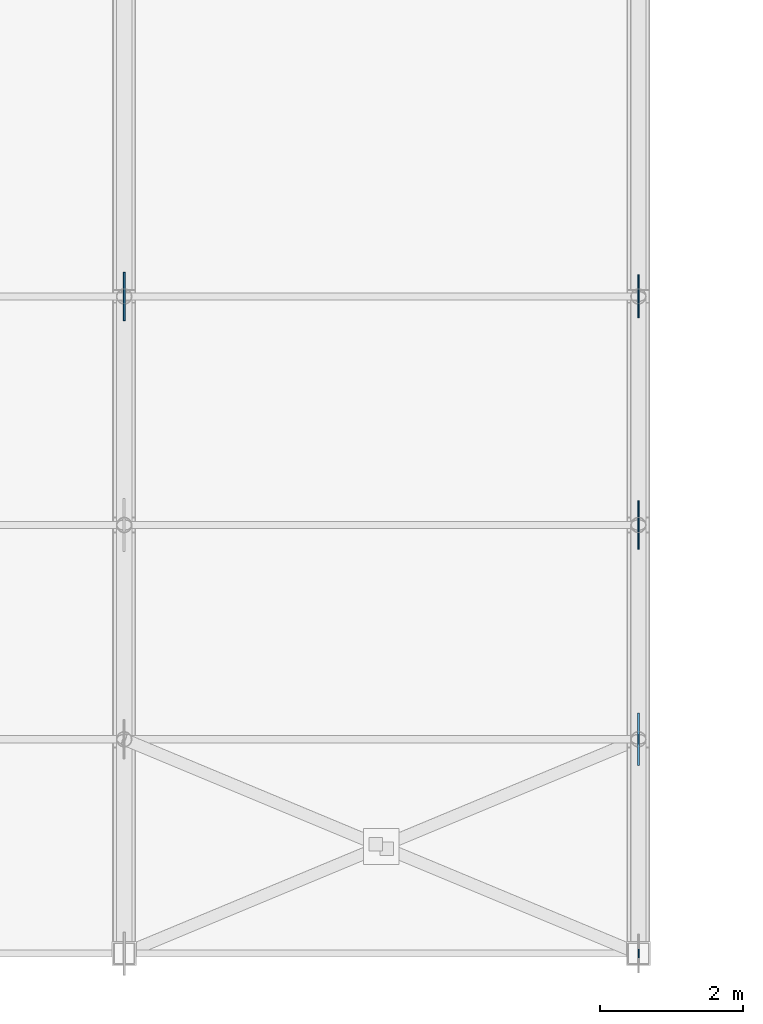
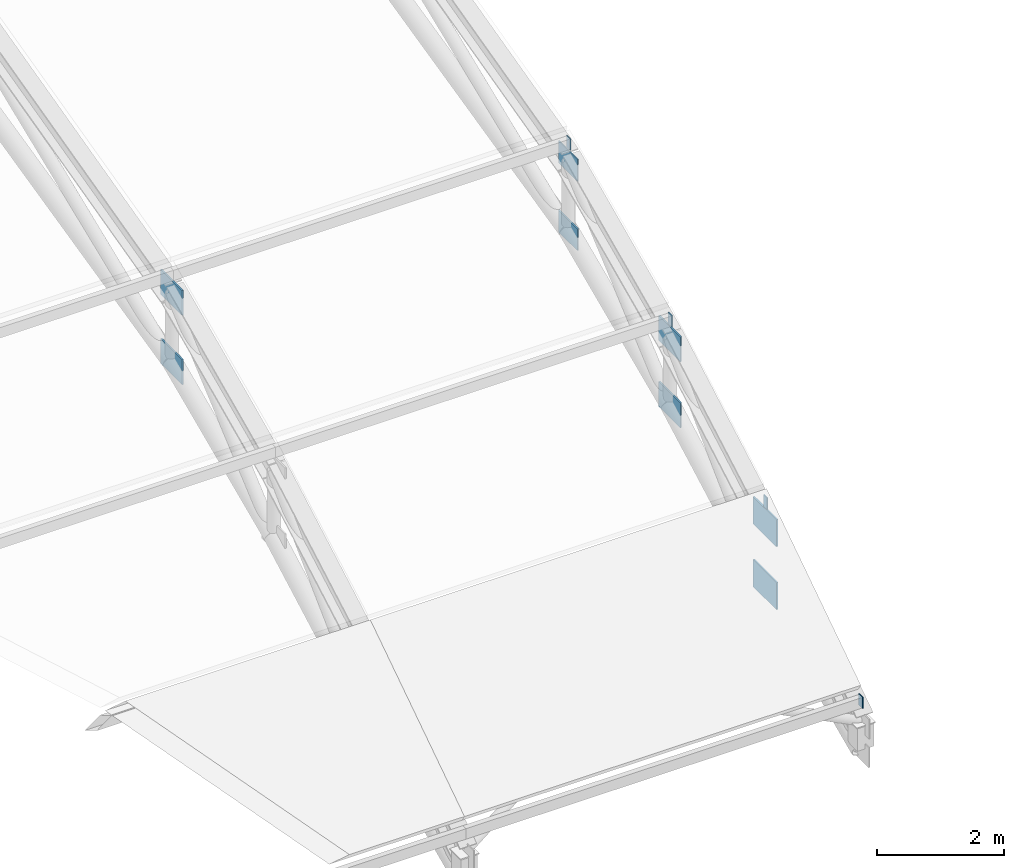
# One storey, part 47 of 63: 12 plates.
"""IFC4 building model written with IfcOpenShell, lengths in metres."""

from ifc_helpers import new_model, si_unit, direction, frame, origin, origin_2d, place, context, subcontext, project, spatial, rectangle, extrude, material, layer, layer_set, type_object, element, save


model = new_model("IFC4")

# Units and contexts
model_context = context("Model", 3, precision=1e-05, world=origin(), true_north=direction((0.0, 1.0)))
body_context = subcontext(model_context, "Body", "Model", "MODEL_VIEW")
ifc_project = project(units=[si_unit("LENGTHUNIT", "METRE"), si_unit("AREAUNIT", "SQUARE_METRE"), si_unit("VOLUMEUNIT", "CUBIC_METRE"), si_unit("PLANEANGLEUNIT", "RADIAN"), si_unit("MASSUNIT", "GRAM", prefix="KILO")], contexts=[model_context])

# Site, building, storey
site_placement = place(None, origin())
site = spatial("IfcSite", under=ifc_project, at=site_placement, CompositionType="ELEMENT")
building_placement = place(site_placement, origin())
building = spatial("IfcBuilding", under=site, at=building_placement, Name="Solvadek Multi-Sports Hall", CompositionType="ELEMENT")
storey_placement = place(building_placement, frame((0.0, 0.0, 19.199951171875)))
storey = spatial("IfcBuildingStorey", under=building, at=storey_placement, Name="RF", CompositionType="ELEMENT", Elevation=19.199951171875)

# Plates
ifc_material = material(Name="Steel E350 (350 MPa)", Category="steel")
ifc_layer_1 = layer(ifc_material, 0.01611328125, Name="Steel E350 (350 MPa)")
ifc_layer_set_1 = layer_set([ifc_layer_1], Name="Steel E350 (350 MPa)")
plate_type_1 = type_object("IfcPlateType", Name="STR-PLT-CAP16", PredefinedType="USERDEFINED", material=ifc_layer_set_1)
for number, where, z_axis, x_axis, name in (
    (1, (136.803955078125, 6.0, -3.28515625), (0.0, 0.0, 1.0), (1.0, 0.0, 0.0), "V1 Purlin End Cap Plate #18"),
    (2, (136.803955078125, 9.0, -1.28125), (0.0, 0.0, 1.0), (1.0, 0.0, 0.0), "V1 Purlin End Cap Plate #19"),
    (3, (136.803955078125, 12.0, 0.40234375), (0.0, 0.0, 1.0), (1.0, 0.0, 0.0), "V1 Purlin End Cap Plate #20"),
    (4, (136.803955078125, 15.199951171875, 1.86083984375), (0.0, 0.0, 1.0), (1.0, 0.0, 0.0), "V1 Purlin End Cap Plate #21"),
):
    element("IfcPlate", number, at=place(storey_placement, frame(where, z_axis=z_axis, x_axis=x_axis)), inside=storey, type_object=plate_type_1, Name=name, ObjectType="BASE_PLATE", PredefinedType="USERDEFINED", context=body_context, shape_type="SweptSolid", body=[
        extrude(rectangle(XDim=0.01611328125, YDim=0.1201171875, at=origin_2d()), origin(), (0.0, 0.0, 1.0), 0.219970703125),
    ])
ifc_layer_2 = layer(ifc_material, 0.02392578125, Name="Steel E350 (350 MPa)")
ifc_layer_set_2 = layer_set([ifc_layer_2], Name="Steel E350 (350 MPa)")
plate_type_2 = type_object("IfcPlateType", Name="STR-PLT-GUS600", PredefinedType="USERDEFINED", material=ifc_layer_set_2)
for number, where, z_axis, x_axis, name in (
    (5, (136.800048828125, 15.199951171875, 1.4091796875), (0.0, 0.0, 1.0), (0.0, 1.0, 0.0), "V1 Truss Top Gusset Plate #133"),
    (6, (136.800048828125, 15.199951171875, 0.080078125), (0.0, 0.0, 1.0), (0.0, 1.0, 0.0), "V1 Truss Bottom Gusset Plate #134"),
):
    element("IfcPlate", number, at=place(storey_placement, frame(where, z_axis=z_axis, x_axis=x_axis)), inside=storey, type_object=plate_type_2, Name=name, ObjectType="GUSSET_PLATE", PredefinedType="USERDEFINED", context=body_context, shape_type="SweptSolid", body=[
        extrude(rectangle(XDim=0.60009765625, YDim=0.02392578125, at=origin_2d()), origin(), (0.0, 0.0, 1.0), 0.419921875),
    ])
ifc_layer_3 = layer(ifc_material, 0.02587890625, Name="Steel E350 (350 MPa)")
ifc_layer_set_3 = layer_set([ifc_layer_3], Name="Steel E350 (350 MPa)")
plate_type_3 = type_object("IfcPlateType", Name="STR-PLT-GUS680", PredefinedType="USERDEFINED", material=ifc_layer_set_3)
for number, where, z_axis, x_axis, name in (
    (7, (129.60009765625, 15.199951171875, 1.379150390625), (0.0, 0.0, 1.0), (0.0, 1.0, 0.0), "V1 Truss Top Gusset Plate #115"),
    (8, (129.60009765625, 15.199951171875, 0.050048828125), (0.0, 0.0, 1.0), (0.0, 1.0, 0.0), "V1 Truss Bottom Gusset Plate #116"),
    (9, (136.800048828125, 12.0, -0.08984375), (0.0, 0.0, 1.0), (0.0, 1.0, 0.0), "V1 Truss Top Gusset Plate #131"),
    (10, (136.800048828125, 12.0, -1.356689453125), (0.0, 0.0, 1.0), (0.0, 1.0, 0.0), "V1 Truss Bottom Gusset Plate #132"),
):
    element("IfcPlate", number, at=place(storey_placement, frame(where, z_axis=z_axis, x_axis=x_axis)), inside=storey, type_object=plate_type_3, Name=name, ObjectType="GUSSET_PLATE", PredefinedType="USERDEFINED", context=body_context, shape_type="SweptSolid", body=[
        extrude(rectangle(XDim=0.679931640625, YDim=0.02587890625, at=origin_2d()), origin(), (0.0, 0.0, 1.0), 0.47998046875),
    ])
ifc_layer_4 = layer(ifc_material, 0.028076171875, Name="Steel E350 (350 MPa)")
ifc_layer_set_4 = layer_set([ifc_layer_4], Name="Steel E350 (350 MPa)")
plate_type_4 = type_object("IfcPlateType", Name="STR-PLT-GUS740", PredefinedType="USERDEFINED", material=ifc_layer_set_4)
for number, where, z_axis, x_axis, name in (
    (11, (136.800048828125, 9.0, -1.8056640625), (0.0, 0.0, 1.0), (0.0, 1.0, 0.0), "V1 Truss Top Gusset Plate #129"),
    (12, (136.800048828125, 9.0, -3.01416015625), (0.0, 0.0, 1.0), (0.0, 1.0, 0.0), "V1 Truss Bottom Gusset Plate #130"),
):
    element("IfcPlate", number, at=place(storey_placement, frame(where, z_axis=z_axis, x_axis=x_axis)), inside=storey, type_object=plate_type_4, Name=name, ObjectType="GUSSET_PLATE", PredefinedType="USERDEFINED", context=body_context, shape_type="SweptSolid", body=[
        extrude(rectangle(XDim=0.739990234375, YDim=0.028076171875, at=origin_2d()), origin(), (0.0, 0.0, 1.0), 0.52001953125),
    ])

save(model, "model.ifc")
